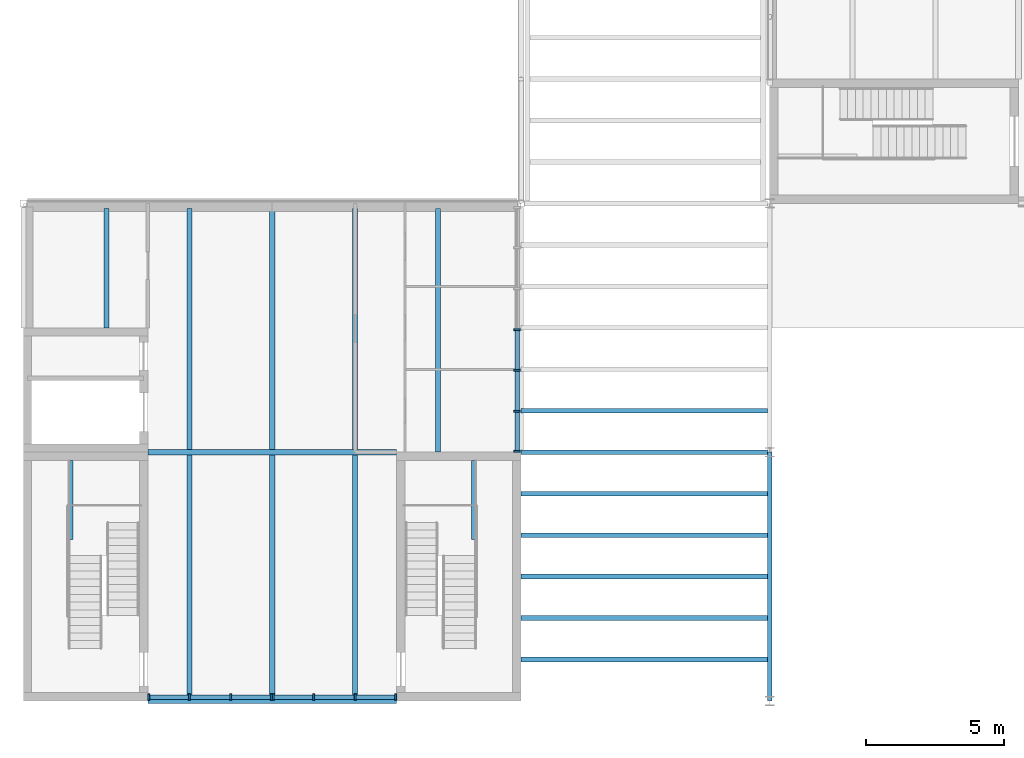
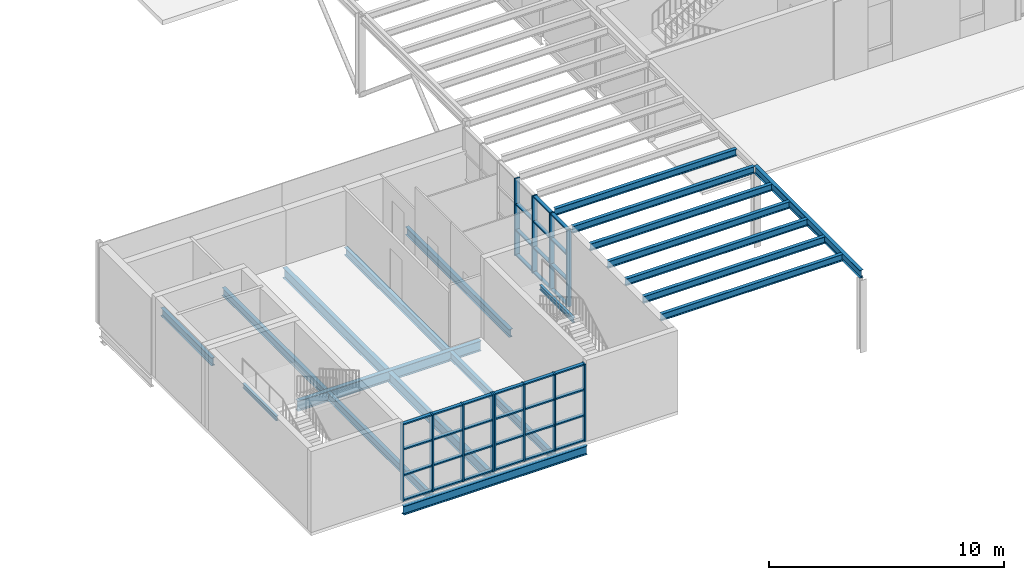
# One storey, part 7 of 57: 54 members, 13 beams, 3 elements without a shape of their own.
"""IFC4 building model written with IfcOpenShell, lengths in metres."""

import ifcopenshell
import ifcopenshell.guid

model = None  # the IFC model being written
_history = None  # IfcOwnerHistory: only IFC2X3 demands one
_inside = {}  # id of a spatial element -> (the spatial element, [elements in it])
_under = {}  # id of a project, library or spatial element -> (it, [spatial elements below it])
_declared = {}  # id of a project -> (the project, [libraries it declares])
_typed = {}  # id of a type object -> (the type object, [elements of that type])
_made_of = {}  # id of a material, layer set ... -> (it, [elements and type objects made of it])


def new_model(schema):
    """Start an empty IFC model of exactly this schema.

    Asked for "IFC4X3", IfcOpenShell would pick the latest addendum, in which some entities
    have other attributes; the version numbers below select the first issue.
    IFC2X3 requires an IfcOwnerHistory on every rooted entity: one is made here for all.
    """
    global model, _history
    if schema == "IFC4X3":
        model = ifcopenshell.file(schema_version=(4, 3, 0, 0))
    else:
        model = ifcopenshell.file(schema=schema)
    _inside.clear()
    _under.clear()
    _declared.clear()
    _typed.clear()
    _made_of.clear()
    _history = None
    if model.schema == "IFC2X3":
        org = make("IfcOrganization", Name="unknown")
        user = make(
            "IfcPersonAndOrganization",
            ThePerson=make("IfcPerson", FamilyName="unknown"),
            TheOrganization=org,
        )
        app = make(
            "IfcApplication",
            ApplicationDeveloper=org,
            Version="unknown",
            ApplicationFullName="unknown",
            ApplicationIdentifier="unknown",
        )
        _history = make(
            "IfcOwnerHistory",
            OwningUser=user,
            OwningApplication=app,
            ChangeAction="ADDED",
            CreationDate=0,
        )
    return model


def make(cls, **values):
    """One entity of the class cls with the attributes given. An attribute that is None is left unset."""
    return model.create_entity(
        cls, **{name: value for name, value in values.items() if value is not None}
    )


def rooted(cls, **values):
    """An entity with a GlobalId (a new one), such as an element, a storey or a relation."""
    return make(cls, GlobalId=ifcopenshell.guid.new(), OwnerHistory=_history, **values)


def si_unit(unit_type, name, prefix=None):
    """IfcSIUnit, for example si_unit("LENGTHUNIT", "METRE", prefix="MILLI")."""
    return make("IfcSIUnit", UnitType=unit_type, Prefix=prefix, Name=name)


def assignment(units):
    """IfcUnitAssignment: the units of a project."""
    return None if units is None else make("IfcUnitAssignment", Units=units)


def point(xyz):
    """IfcCartesianPoint."""
    return None if xyz is None else make("IfcCartesianPoint", Coordinates=xyz)


def direction(xyz):
    """IfcDirection."""
    return None if xyz is None else make("IfcDirection", DirectionRatios=xyz)


def frame(location, z_axis=None, x_axis=None):
    """IfcAxis2Placement3D, a coordinate frame: its origin and axes. An axis left out is left unset."""
    return make(
        "IfcAxis2Placement3D",
        Location=point(location),
        Axis=direction(z_axis),
        RefDirection=direction(x_axis),
    )


def frame_2d(location, x_axis=None):
    """IfcAxis2Placement2D, a coordinate frame in the plane: its origin and x axis."""
    return make(
        "IfcAxis2Placement2D", Location=point(location), RefDirection=direction(x_axis)
    )


def origin():
    """The frame at (0, 0, 0) with its axes left unset."""
    return frame((0.0, 0.0, 0.0))


def origin_2d():
    """The frame at (0, 0) in the plane with its x axis left unset."""
    return frame_2d((0.0, 0.0))


def place(relative_to, where):
    """IfcLocalPlacement: puts the frame where relative to a parent placement (None: the world)."""
    return make(
        "IfcLocalPlacement", PlacementRelTo=relative_to, RelativePlacement=where
    )


def context(
    kind, dimensions, precision=None, world=None, true_north=None, identifier=None
):
    """IfcGeometricRepresentationContext, for example the 3D "Model" context."""
    return make(
        "IfcGeometricRepresentationContext",
        ContextIdentifier=identifier,
        ContextType=kind,
        CoordinateSpaceDimension=dimensions,
        Precision=precision,
        WorldCoordinateSystem=world,
        TrueNorth=true_north,
    )


def subcontext(parent, identifier, kind, view, scale=None):
    """IfcGeometricRepresentationSubContext, for example "Body" below "Model"."""
    return make(
        "IfcGeometricRepresentationSubContext",
        ContextIdentifier=identifier,
        ContextType=kind,
        ParentContext=parent,
        TargetScale=scale,
        TargetView=view,
    )


def project(units=None, contexts=None):
    """IfcProject with its units and contexts."""
    return rooted(
        "IfcProject",
        Name="project",
        RepresentationContexts=contexts,
        UnitsInContext=assignment(units),
    )


def spatial(cls, under=None, at=None, **own):
    """A site, building, storey or space (cls), placed at a placement, below another one or the project."""
    s = rooted(cls, ObjectPlacement=at, **own)
    if under is not None:
        _under.setdefault(under.id(), (under, []))[1].append(s)
    return s


def profile(cls, at=None, kind="AREA", **sizes):
    """A parametric profile (cls). Its sizes go by their IFC names, for example OverallWidth=200.0."""
    return make(cls, ProfileType=kind, Position=at, **sizes)


def rectangle(**sizes):
    """IfcRectangleProfileDef."""
    return profile("IfcRectangleProfileDef", **sizes)


def i_section(**sizes):
    """IfcIShapeProfileDef."""
    return profile("IfcIShapeProfileDef", **sizes)


def extrude(swept, where, along, depth):
    """IfcExtrudedAreaSolid: the profile swept, set in the frame where, extruded along a direction by depth."""
    return make(
        "IfcExtrudedAreaSolid",
        SweptArea=swept,
        Position=where,
        ExtrudedDirection=direction(along),
        Depth=depth,
    )


def shape(context_of_items, identifier, shape_type, items):
    """IfcShapeRepresentation: the items that make up one representation, for example the "Body"."""
    return make(
        "IfcShapeRepresentation",
        ContextOfItems=context_of_items,
        RepresentationIdentifier=identifier,
        RepresentationType=shape_type,
        Items=items,
    )


def material(Name=None, Category=None):
    """IfcMaterial."""
    return make("IfcMaterial", Name=Name, Category=Category)


def layer(
    of_material, thickness, ventilated=None, Name=None, Category=None, Priority=None
):
    """IfcMaterialLayer: one layer of a wall or slab, of a material (None: an air gap)."""
    return make(
        "IfcMaterialLayer",
        Material=of_material,
        LayerThickness=thickness,
        IsVentilated=ventilated,
        Name=Name,
        Category=Category,
        Priority=Priority,
    )


def layer_set(layers, Name=None):
    """IfcMaterialLayerSet."""
    return make("IfcMaterialLayerSet", MaterialLayers=layers, LayerSetName=Name)


def material_profile(
    of_material, cross_section, Name=None, Category=None, Priority=None
):
    """IfcMaterialProfile: a cross section and its material."""
    return make(
        "IfcMaterialProfile",
        Name=Name,
        Material=of_material,
        Profile=cross_section,
        Priority=Priority,
        Category=Category,
    )


def profile_set(profiles, Name=None, composite=None):
    """IfcMaterialProfileSet."""
    return make(
        "IfcMaterialProfileSet",
        Name=Name,
        MaterialProfiles=profiles,
        CompositeProfile=composite,
    )


def made_of(thing, what):
    """Note that an element or type object is made of a material, layer set ...; save() writes the relation."""
    if what is not None:
        _made_of.setdefault(what.id(), (what, []))[1].append(thing)
    return thing


def type_object(cls, material=None, **own):
    """A type object (cls), such as IfcWallType, which elements share."""
    return made_of(rooted(cls, **own), material)


def element(
    cls,
    number,
    at=None,
    inside=None,
    cuts=None,
    type_object=None,
    material=None,
    context=None,
    identifier="Body",
    shape_type=None,
    held_by="IfcProductDefinitionShape",
    body=None,
    shapes=None,
    **own,
):
    """One element of the class cls, such as IfcWall. Its Tag is "e" and its number.

    at: its placement. inside: the storey or other place that contains it. cuts: it is an
    opening in that element (IfcRelVoidsElement). A single representation is given by context,
    identifier, shape_type and body (its items); several are given by shapes. held_by: the class
    of the entity that holds the representations. save() writes the other relations.
    """
    e = rooted(cls, Tag="e%d" % number, ObjectPlacement=at, **own)
    if body is not None:
        shapes = [shape(context, identifier, shape_type, body)]
    if shapes is not None:
        e.Representation = make(held_by, Representations=shapes)
    if inside is not None:
        _inside.setdefault(inside.id(), (inside, []))[1].append(e)
    if cuts is not None:
        rooted(
            "IfcRelVoidsElement", RelatingBuildingElement=cuts, RelatedOpeningElement=e
        )
    if type_object is not None:
        _typed.setdefault(type_object.id(), (type_object, []))[1].append(e)
    return made_of(e, material)


def aggregate(whole, parts):
    """IfcRelAggregates: a whole, such as a stair, and the parts it consists of."""
    return rooted("IfcRelAggregates", RelatingObject=whole, RelatedObjects=parts)


def save(model, path):
    """Write the relations noted so far, then the file.

    IfcRelAggregates (storeys below a building ...), IfcRelContainedInSpatialStructure (elements
    in a storey), IfcRelDefinesByType, IfcRelAssociatesMaterial and IfcRelDeclares: one each for
    every whole, place, type object, material and project.
    """
    for whole, parts in _under.values():
        aggregate(whole, parts)
    for where, things in _inside.values():
        rooted(
            "IfcRelContainedInSpatialStructure",
            RelatedElements=things,
            RelatingStructure=where,
        )
    for kind, things in _typed.values():
        rooted("IfcRelDefinesByType", RelatedObjects=things, RelatingType=kind)
    for what, things in _made_of.values():
        rooted("IfcRelAssociatesMaterial", RelatedObjects=things, RelatingMaterial=what)
    for by, libraries in _declared.values():
        rooted("IfcRelDeclares", RelatingContext=by, RelatedDefinitions=libraries)
    model.write(path)


model = new_model("IFC4")

# Units and contexts
model_context = context("Model", 3, precision=1e-05, world=origin(), true_north=direction((0.0, 1.0)))
body_context = subcontext(model_context, "Body", "Model", "MODEL_VIEW")
ifc_project = project(units=[si_unit("LENGTHUNIT", "METRE"), si_unit("AREAUNIT", "SQUARE_METRE"), si_unit("VOLUMEUNIT", "CUBIC_METRE"), si_unit("PLANEANGLEUNIT", "RADIAN"), si_unit("MASSUNIT", "GRAM", prefix="KILO")], contexts=[model_context])

# Site, building, storey
site_placement = place(None, origin())
site = spatial("IfcSite", under=ifc_project, at=site_placement, CompositionType="ELEMENT")
building_placement = place(site_placement, origin())
building = spatial("IfcBuilding", under=site, at=building_placement, Name="Halyard Row Museum", CompositionType="ELEMENT")
storey_placement = place(building_placement, frame((0.0, 0.0, 5.0)))
storey = spatial("IfcBuildingStorey", under=building, at=storey_placement, Name="L01", CompositionType="ELEMENT", Elevation=5.0)

# Curtain wall, members
ifc_material_1 = material(Name="Acoustic laminated double glazed unit", Category="glass")
ifc_layer = layer(ifc_material_1, 0.239990234375)
ifc_layer_set = layer_set([ifc_layer], Name="Acoustic laminated double glazed unit")
curtain_wall_type = type_object("IfcCurtainWallType", Name="Curtain wall foyer 240 deep", PredefinedType="NOTDEFINED", material=ifc_layer_set)
curtain_wall_1_placement = place(storey_placement, origin())
curtain_wall_1 = element("IfcCurtainWall", 1, at=curtain_wall_1_placement, inside=storey, type_object=curtain_wall_type, Name="Curtain wall CW028", PredefinedType="NOTDEFINED")
ifc_material_2 = material(Name="Powder-coated aluminium section", Category="aluminium")
ifc_material_profile_1 = material_profile(ifc_material_2, rectangle(XDim=0.239990234375, YDim=0.070068359375, at=origin_2d()), Name="240x70 mullion")
ifc_profile_set_1 = profile_set([ifc_material_profile_1], Name="Powder-coated aluminium section")
member_type_1 = type_object("IfcMemberType", Name="Curtain wall mullion CM4 70 x 240", PredefinedType="MULLION", material=ifc_profile_set_1)
member_1_placement = place(storey_placement, frame((4.534912109375, 0.139892578125, 0.0), z_axis=(0.0, 0.0, 1.0), x_axis=(0.0, 1.0, 0.0)))
member_1 = element("IfcMember", 2, at=member_1_placement, type_object=member_type_1, Name="CW028 mullion 1", PredefinedType="MULLION", context=body_context, shape_type="SweptSolid", body=[
    extrude(rectangle(XDim=0.239990234375, YDim=0.070068359375, at=origin_2d()), origin(), (0.0, 0.0, 1.0), 4.0),
])
member_2_placement = place(storey_placement, frame((6.0, 0.139892578125, 0.0), z_axis=(0.0, 0.0, 1.0), x_axis=(0.0, 1.0, 0.0)))
member_2 = element("IfcMember", 3, at=member_2_placement, type_object=member_type_1, Name="CW028 mullion 2", PredefinedType="MULLION", context=body_context, shape_type="SweptSolid", body=[
    extrude(rectangle(XDim=0.239990234375, YDim=0.070068359375, at=origin_2d()), origin(), (0.0, 0.0, 1.0), 4.0),
])
member_3_placement = place(storey_placement, frame((7.5, 0.139892578125, 0.0), z_axis=(0.0, 0.0, 1.0), x_axis=(0.0, 1.0, 0.0)))
member_3 = element("IfcMember", 4, at=member_3_placement, type_object=member_type_1, Name="CW028 mullion 3", PredefinedType="MULLION", context=body_context, shape_type="SweptSolid", body=[
    extrude(rectangle(XDim=0.239990234375, YDim=0.070068359375, at=origin_2d()), origin(), (0.0, 0.0, 1.0), 4.0),
])
member_4_placement = place(storey_placement, frame((8.965087890625, 0.139892578125, 0.0), z_axis=(0.0, 0.0, 1.0), x_axis=(0.0, 1.0, 0.0)))
member_4 = element("IfcMember", 5, at=member_4_placement, type_object=member_type_1, Name="CW028 mullion 4", PredefinedType="MULLION", context=body_context, shape_type="SweptSolid", body=[
    extrude(rectangle(XDim=0.239990234375, YDim=0.070068359375, at=origin_2d()), origin(), (0.0, 0.0, 1.0), 4.0),
])

curtain_wall_2_placement = place(storey_placement, origin())
curtain_wall_2 = element("IfcCurtainWall", 6, at=curtain_wall_2_placement, inside=storey, type_object=curtain_wall_type, Name="Curtain wall CW029", PredefinedType="NOTDEFINED")
member_5_placement = place(storey_placement, frame((9.034912109375, 0.139892578125, 0.0), z_axis=(0.0, 0.0, 1.0), x_axis=(0.0, 1.0, 0.0)))
member_5 = element("IfcMember", 7, at=member_5_placement, type_object=member_type_1, Name="CW029 mullion 1", PredefinedType="MULLION", context=body_context, shape_type="SweptSolid", body=[
    extrude(rectangle(XDim=0.239990234375, YDim=0.070068359375, at=origin_2d()), origin(), (0.0, 0.0, 1.0), 4.0),
])
member_6_placement = place(storey_placement, frame((10.5, 0.139892578125, 0.0), z_axis=(0.0, 0.0, 1.0), x_axis=(0.0, 1.0, 0.0)))
member_6 = element("IfcMember", 8, at=member_6_placement, type_object=member_type_1, Name="CW029 mullion 2", PredefinedType="MULLION", context=body_context, shape_type="SweptSolid", body=[
    extrude(rectangle(XDim=0.239990234375, YDim=0.070068359375, at=origin_2d()), origin(), (0.0, 0.0, 1.0), 4.0),
])
member_7_placement = place(storey_placement, frame((12.0, 0.139892578125, 0.0), z_axis=(0.0, 0.0, 1.0), x_axis=(0.0, 1.0, 0.0)))
member_7 = element("IfcMember", 9, at=member_7_placement, type_object=member_type_1, Name="CW029 mullion 3", PredefinedType="MULLION", context=body_context, shape_type="SweptSolid", body=[
    extrude(rectangle(XDim=0.239990234375, YDim=0.070068359375, at=origin_2d()), origin(), (0.0, 0.0, 1.0), 4.0),
])
member_8_placement = place(storey_placement, frame((13.465087890625, 0.139892578125, 0.0), z_axis=(0.0, 0.0, 1.0), x_axis=(0.0, 1.0, 0.0)))
member_8 = element("IfcMember", 10, at=member_8_placement, type_object=member_type_1, Name="CW029 mullion 4", PredefinedType="MULLION", context=body_context, shape_type="SweptSolid", body=[
    extrude(rectangle(XDim=0.239990234375, YDim=0.070068359375, at=origin_2d()), origin(), (0.0, 0.0, 1.0), 4.0),
])

curtain_wall_3_placement = place(storey_placement, origin())
curtain_wall_3 = element("IfcCurtainWall", 11, at=curtain_wall_3_placement, inside=storey, type_object=curtain_wall_type, Name="Curtain wall CW030", PredefinedType="NOTDEFINED")
member_9_placement = place(storey_placement, frame((17.860107421875, 9.034912109375, 0.0), z_axis=(0.0, 0.0, 1.0), x_axis=(-1.0, 0.0, 0.0)))
member_9 = element("IfcMember", 12, at=member_9_placement, type_object=member_type_1, Name="CW030 mullion 1", PredefinedType="MULLION", context=body_context, shape_type="SweptSolid", body=[
    extrude(rectangle(XDim=0.239990234375, YDim=0.070068359375, at=origin_2d()), origin(), (0.0, 0.0, 1.0), 4.0),
])
member_10_placement = place(storey_placement, frame((17.860107421875, 10.479248046875, 0.0), z_axis=(0.0, 0.0, 1.0), x_axis=(-1.0, 0.0, 0.0)))
member_10 = element("IfcMember", 13, at=member_10_placement, type_object=member_type_1, Name="CW030 mullion 2", PredefinedType="MULLION", context=body_context, shape_type="SweptSolid", body=[
    extrude(rectangle(XDim=0.239990234375, YDim=0.070068359375, at=origin_2d()), origin(), (0.0, 0.0, 1.0), 4.0),
])
member_11_placement = place(storey_placement, frame((17.860107421875, 11.958251953125, 0.0), z_axis=(0.0, 0.0, 1.0), x_axis=(-1.0, 0.0, 0.0)))
member_11 = element("IfcMember", 14, at=member_11_placement, type_object=member_type_1, Name="CW030 mullion 3", PredefinedType="MULLION", context=body_context, shape_type="SweptSolid", body=[
    extrude(rectangle(XDim=0.239990234375, YDim=0.070068359375, at=origin_2d()), origin(), (0.0, 0.0, 1.0), 4.0),
])
member_12_placement = place(storey_placement, frame((17.860107421875, 13.4375, 0.0), z_axis=(0.0, 0.0, 1.0), x_axis=(-1.0, 0.0, 0.0)))
member_12 = element("IfcMember", 15, at=member_12_placement, type_object=member_type_1, Name="CW030 mullion 4", PredefinedType="MULLION", context=body_context, shape_type="SweptSolid", body=[
    extrude(rectangle(XDim=0.239990234375, YDim=0.070068359375, at=origin_2d()), origin(), (0.0, 0.0, 1.0), 4.0),
])

# Member
ifc_material_3 = material(Name="Powder-coated aluminium section", Category="aluminium")
ifc_material_profile_2 = material_profile(ifc_material_3, rectangle(XDim=0.169921875, YDim=0.070068359375, at=origin_2d()), Name="170x70 transom")
ifc_profile_set_2 = profile_set([ifc_material_profile_2], Name="Powder-coated aluminium section")
member_type_2 = type_object("IfcMemberType", Name="Curtain wall transom CT4 70 x 170", PredefinedType="USERDEFINED", material=ifc_profile_set_2)
member_13_placement = place(storey_placement, frame((4.570068359375, 0.139892578125, 0.034912109375), z_axis=(1.0, 0.0, 0.0), x_axis=(0.0, 1.0, 0.0)))
member_13 = element("IfcMember", 16, at=member_13_placement, type_object=member_type_2, Name="CW028 transom 1.1", ObjectType="TRANSOM", PredefinedType="USERDEFINED", context=body_context, shape_type="SweptSolid", body=[
    extrude(rectangle(XDim=0.169921875, YDim=0.070068359375, at=origin_2d()), origin(), (0.0, 0.0, 1.0), 1.39501953125),
])

member_14_placement = place(storey_placement, frame((4.570068359375, 0.139892578125, 1.333251953125), z_axis=(1.0, 0.0, 0.0), x_axis=(0.0, 1.0, 0.0)))
member_14 = element("IfcMember", 17, at=member_14_placement, type_object=member_type_2, Name="CW028 transom 1.2", ObjectType="TRANSOM", PredefinedType="USERDEFINED", context=body_context, shape_type="SweptSolid", body=[
    extrude(rectangle(XDim=0.169921875, YDim=0.070068359375, at=origin_2d()), origin(), (0.0, 0.0, 1.0), 1.39501953125),
])

member_15_placement = place(storey_placement, frame((4.570068359375, 0.139892578125, 2.666748046875), z_axis=(1.0, 0.0, 0.0), x_axis=(0.0, 1.0, 0.0)))
member_15 = element("IfcMember", 18, at=member_15_placement, type_object=member_type_2, Name="CW028 transom 1.3", ObjectType="TRANSOM", PredefinedType="USERDEFINED", context=body_context, shape_type="SweptSolid", body=[
    extrude(rectangle(XDim=0.169921875, YDim=0.070068359375, at=origin_2d()), origin(), (0.0, 0.0, 1.0), 1.39501953125),
])

member_16_placement = place(storey_placement, frame((4.570068359375, 0.139892578125, 3.965087890625), z_axis=(1.0, 0.0, 0.0), x_axis=(0.0, 1.0, 0.0)))
member_16 = element("IfcMember", 19, at=member_16_placement, type_object=member_type_2, Name="CW028 transom 1.4", ObjectType="TRANSOM", PredefinedType="USERDEFINED", context=body_context, shape_type="SweptSolid", body=[
    extrude(rectangle(XDim=0.169921875, YDim=0.070068359375, at=origin_2d()), origin(), (0.0, 0.0, 1.0), 1.39501953125),
])

member_17_placement = place(storey_placement, frame((6.034912109375, 0.139892578125, 0.034912109375), z_axis=(1.0, 0.0, 0.0), x_axis=(0.0, 1.0, 0.0)))
member_17 = element("IfcMember", 20, at=member_17_placement, type_object=member_type_2, Name="CW028 transom 2.1", ObjectType="TRANSOM", PredefinedType="USERDEFINED", context=body_context, shape_type="SweptSolid", body=[
    extrude(rectangle(XDim=0.169921875, YDim=0.070068359375, at=origin_2d()), origin(), (0.0, 0.0, 1.0), 1.43017578125),
])

member_18_placement = place(storey_placement, frame((6.034912109375, 0.139892578125, 1.333251953125), z_axis=(1.0, 0.0, 0.0), x_axis=(0.0, 1.0, 0.0)))
member_18 = element("IfcMember", 21, at=member_18_placement, type_object=member_type_2, Name="CW028 transom 2.2", ObjectType="TRANSOM", PredefinedType="USERDEFINED", context=body_context, shape_type="SweptSolid", body=[
    extrude(rectangle(XDim=0.169921875, YDim=0.070068359375, at=origin_2d()), origin(), (0.0, 0.0, 1.0), 1.43017578125),
])

member_19_placement = place(storey_placement, frame((6.034912109375, 0.139892578125, 2.666748046875), z_axis=(1.0, 0.0, 0.0), x_axis=(0.0, 1.0, 0.0)))
member_19 = element("IfcMember", 22, at=member_19_placement, type_object=member_type_2, Name="CW028 transom 2.3", ObjectType="TRANSOM", PredefinedType="USERDEFINED", context=body_context, shape_type="SweptSolid", body=[
    extrude(rectangle(XDim=0.169921875, YDim=0.070068359375, at=origin_2d()), origin(), (0.0, 0.0, 1.0), 1.43017578125),
])

member_20_placement = place(storey_placement, frame((6.034912109375, 0.139892578125, 3.965087890625), z_axis=(1.0, 0.0, 0.0), x_axis=(0.0, 1.0, 0.0)))
member_20 = element("IfcMember", 23, at=member_20_placement, type_object=member_type_2, Name="CW028 transom 2.4", ObjectType="TRANSOM", PredefinedType="USERDEFINED", context=body_context, shape_type="SweptSolid", body=[
    extrude(rectangle(XDim=0.169921875, YDim=0.070068359375, at=origin_2d()), origin(), (0.0, 0.0, 1.0), 1.43017578125),
])

member_21_placement = place(storey_placement, frame((7.534912109375, 0.139892578125, 0.034912109375), z_axis=(1.0, 0.0, 0.0), x_axis=(0.0, 1.0, 0.0)))
member_21 = element("IfcMember", 24, at=member_21_placement, type_object=member_type_2, Name="CW028 transom 3.1", ObjectType="TRANSOM", PredefinedType="USERDEFINED", context=body_context, shape_type="SweptSolid", body=[
    extrude(rectangle(XDim=0.169921875, YDim=0.070068359375, at=origin_2d()), origin(), (0.0, 0.0, 1.0), 1.39501953125),
])

member_22_placement = place(storey_placement, frame((7.534912109375, 0.139892578125, 1.333251953125), z_axis=(1.0, 0.0, 0.0), x_axis=(0.0, 1.0, 0.0)))
member_22 = element("IfcMember", 25, at=member_22_placement, type_object=member_type_2, Name="CW028 transom 3.2", ObjectType="TRANSOM", PredefinedType="USERDEFINED", context=body_context, shape_type="SweptSolid", body=[
    extrude(rectangle(XDim=0.169921875, YDim=0.070068359375, at=origin_2d()), origin(), (0.0, 0.0, 1.0), 1.39501953125),
])

member_23_placement = place(storey_placement, frame((7.534912109375, 0.139892578125, 2.666748046875), z_axis=(1.0, 0.0, 0.0), x_axis=(0.0, 1.0, 0.0)))
member_23 = element("IfcMember", 26, at=member_23_placement, type_object=member_type_2, Name="CW028 transom 3.3", ObjectType="TRANSOM", PredefinedType="USERDEFINED", context=body_context, shape_type="SweptSolid", body=[
    extrude(rectangle(XDim=0.169921875, YDim=0.070068359375, at=origin_2d()), origin(), (0.0, 0.0, 1.0), 1.39501953125),
])

member_24_placement = place(storey_placement, frame((7.534912109375, 0.139892578125, 3.965087890625), z_axis=(1.0, 0.0, 0.0), x_axis=(0.0, 1.0, 0.0)))
member_24 = element("IfcMember", 27, at=member_24_placement, type_object=member_type_2, Name="CW028 transom 3.4", ObjectType="TRANSOM", PredefinedType="USERDEFINED", context=body_context, shape_type="SweptSolid", body=[
    extrude(rectangle(XDim=0.169921875, YDim=0.070068359375, at=origin_2d()), origin(), (0.0, 0.0, 1.0), 1.39501953125),
])

aggregate(curtain_wall_1, [member_1, member_2, member_3, member_4, member_13, member_14, member_15, member_16, member_17, member_18, member_19, member_20, member_21, member_22, member_23, member_24])

member_25_placement = place(storey_placement, frame((9.070068359375, 0.139892578125, 0.034912109375), z_axis=(1.0, 0.0, 0.0), x_axis=(0.0, 1.0, 0.0)))
member_25 = element("IfcMember", 28, at=member_25_placement, type_object=member_type_2, Name="CW029 transom 1.1", ObjectType="TRANSOM", PredefinedType="USERDEFINED", context=body_context, shape_type="SweptSolid", body=[
    extrude(rectangle(XDim=0.169921875, YDim=0.070068359375, at=origin_2d()), origin(), (0.0, 0.0, 1.0), 1.39501953125),
])

member_26_placement = place(storey_placement, frame((9.070068359375, 0.139892578125, 1.333251953125), z_axis=(1.0, 0.0, 0.0), x_axis=(0.0, 1.0, 0.0)))
member_26 = element("IfcMember", 29, at=member_26_placement, type_object=member_type_2, Name="CW029 transom 1.2", ObjectType="TRANSOM", PredefinedType="USERDEFINED", context=body_context, shape_type="SweptSolid", body=[
    extrude(rectangle(XDim=0.169921875, YDim=0.070068359375, at=origin_2d()), origin(), (0.0, 0.0, 1.0), 1.39501953125),
])

member_27_placement = place(storey_placement, frame((9.070068359375, 0.139892578125, 2.666748046875), z_axis=(1.0, 0.0, 0.0), x_axis=(0.0, 1.0, 0.0)))
member_27 = element("IfcMember", 30, at=member_27_placement, type_object=member_type_2, Name="CW029 transom 1.3", ObjectType="TRANSOM", PredefinedType="USERDEFINED", context=body_context, shape_type="SweptSolid", body=[
    extrude(rectangle(XDim=0.169921875, YDim=0.070068359375, at=origin_2d()), origin(), (0.0, 0.0, 1.0), 1.39501953125),
])

member_28_placement = place(storey_placement, frame((9.070068359375, 0.139892578125, 3.965087890625), z_axis=(1.0, 0.0, 0.0), x_axis=(0.0, 1.0, 0.0)))
member_28 = element("IfcMember", 31, at=member_28_placement, type_object=member_type_2, Name="CW029 transom 1.4", ObjectType="TRANSOM", PredefinedType="USERDEFINED", context=body_context, shape_type="SweptSolid", body=[
    extrude(rectangle(XDim=0.169921875, YDim=0.070068359375, at=origin_2d()), origin(), (0.0, 0.0, 1.0), 1.39501953125),
])

member_29_placement = place(storey_placement, frame((10.534912109375, 0.139892578125, 0.034912109375), z_axis=(1.0, 0.0, 0.0), x_axis=(0.0, 1.0, 0.0)))
member_29 = element("IfcMember", 32, at=member_29_placement, type_object=member_type_2, Name="CW029 transom 2.1", ObjectType="TRANSOM", PredefinedType="USERDEFINED", context=body_context, shape_type="SweptSolid", body=[
    extrude(rectangle(XDim=0.169921875, YDim=0.070068359375, at=origin_2d()), origin(), (0.0, 0.0, 1.0), 1.43017578125),
])

member_30_placement = place(storey_placement, frame((10.534912109375, 0.139892578125, 1.333251953125), z_axis=(1.0, 0.0, 0.0), x_axis=(0.0, 1.0, 0.0)))
member_30 = element("IfcMember", 33, at=member_30_placement, type_object=member_type_2, Name="CW029 transom 2.2", ObjectType="TRANSOM", PredefinedType="USERDEFINED", context=body_context, shape_type="SweptSolid", body=[
    extrude(rectangle(XDim=0.169921875, YDim=0.070068359375, at=origin_2d()), origin(), (0.0, 0.0, 1.0), 1.43017578125),
])

member_31_placement = place(storey_placement, frame((10.534912109375, 0.139892578125, 2.666748046875), z_axis=(1.0, 0.0, 0.0), x_axis=(0.0, 1.0, 0.0)))
member_31 = element("IfcMember", 34, at=member_31_placement, type_object=member_type_2, Name="CW029 transom 2.3", ObjectType="TRANSOM", PredefinedType="USERDEFINED", context=body_context, shape_type="SweptSolid", body=[
    extrude(rectangle(XDim=0.169921875, YDim=0.070068359375, at=origin_2d()), origin(), (0.0, 0.0, 1.0), 1.43017578125),
])

member_32_placement = place(storey_placement, frame((10.534912109375, 0.139892578125, 3.965087890625), z_axis=(1.0, 0.0, 0.0), x_axis=(0.0, 1.0, 0.0)))
member_32 = element("IfcMember", 35, at=member_32_placement, type_object=member_type_2, Name="CW029 transom 2.4", ObjectType="TRANSOM", PredefinedType="USERDEFINED", context=body_context, shape_type="SweptSolid", body=[
    extrude(rectangle(XDim=0.169921875, YDim=0.070068359375, at=origin_2d()), origin(), (0.0, 0.0, 1.0), 1.43017578125),
])

member_33_placement = place(storey_placement, frame((12.034912109375, 0.139892578125, 0.034912109375), z_axis=(1.0, 0.0, 0.0), x_axis=(0.0, 1.0, 0.0)))
member_33 = element("IfcMember", 36, at=member_33_placement, type_object=member_type_2, Name="CW029 transom 3.1", ObjectType="TRANSOM", PredefinedType="USERDEFINED", context=body_context, shape_type="SweptSolid", body=[
    extrude(rectangle(XDim=0.169921875, YDim=0.070068359375, at=origin_2d()), origin(), (0.0, 0.0, 1.0), 1.39501953125),
])

member_34_placement = place(storey_placement, frame((12.034912109375, 0.139892578125, 1.333251953125), z_axis=(1.0, 0.0, 0.0), x_axis=(0.0, 1.0, 0.0)))
member_34 = element("IfcMember", 37, at=member_34_placement, type_object=member_type_2, Name="CW029 transom 3.2", ObjectType="TRANSOM", PredefinedType="USERDEFINED", context=body_context, shape_type="SweptSolid", body=[
    extrude(rectangle(XDim=0.169921875, YDim=0.070068359375, at=origin_2d()), origin(), (0.0, 0.0, 1.0), 1.39501953125),
])

member_35_placement = place(storey_placement, frame((12.034912109375, 0.139892578125, 2.666748046875), z_axis=(1.0, 0.0, 0.0), x_axis=(0.0, 1.0, 0.0)))
member_35 = element("IfcMember", 38, at=member_35_placement, type_object=member_type_2, Name="CW029 transom 3.3", ObjectType="TRANSOM", PredefinedType="USERDEFINED", context=body_context, shape_type="SweptSolid", body=[
    extrude(rectangle(XDim=0.169921875, YDim=0.070068359375, at=origin_2d()), origin(), (0.0, 0.0, 1.0), 1.39501953125),
])

member_36_placement = place(storey_placement, frame((12.034912109375, 0.139892578125, 3.965087890625), z_axis=(1.0, 0.0, 0.0), x_axis=(0.0, 1.0, 0.0)))
member_36 = element("IfcMember", 39, at=member_36_placement, type_object=member_type_2, Name="CW029 transom 3.4", ObjectType="TRANSOM", PredefinedType="USERDEFINED", context=body_context, shape_type="SweptSolid", body=[
    extrude(rectangle(XDim=0.169921875, YDim=0.070068359375, at=origin_2d()), origin(), (0.0, 0.0, 1.0), 1.39501953125),
])

aggregate(curtain_wall_2, [member_5, member_6, member_7, member_8, member_25, member_26, member_27, member_28, member_29, member_30, member_31, member_32, member_33, member_34, member_35, member_36])

member_37_placement = place(storey_placement, frame((17.860107421875, 9.070068359375, 0.034912109375), z_axis=(0.0, 1.0, 0.0), x_axis=(-1.0, 0.0, 0.0)))
member_37 = element("IfcMember", 40, at=member_37_placement, type_object=member_type_2, Name="CW030 transom 1.1", ObjectType="TRANSOM", PredefinedType="USERDEFINED", context=body_context, shape_type="SweptSolid", body=[
    extrude(rectangle(XDim=0.169921875, YDim=0.070068359375, at=origin_2d()), origin(), (0.0, 0.0, 1.0), 1.3740234375),
])

member_38_placement = place(storey_placement, frame((17.860107421875, 9.070068359375, 1.333251953125), z_axis=(0.0, 1.0, 0.0), x_axis=(-1.0, 0.0, 0.0)))
member_38 = element("IfcMember", 41, at=member_38_placement, type_object=member_type_2, Name="CW030 transom 1.2", ObjectType="TRANSOM", PredefinedType="USERDEFINED", context=body_context, shape_type="SweptSolid", body=[
    extrude(rectangle(XDim=0.169921875, YDim=0.070068359375, at=origin_2d()), origin(), (0.0, 0.0, 1.0), 1.3740234375),
])

member_39_placement = place(storey_placement, frame((17.860107421875, 9.070068359375, 2.666748046875), z_axis=(0.0, 1.0, 0.0), x_axis=(-1.0, 0.0, 0.0)))
member_39 = element("IfcMember", 42, at=member_39_placement, type_object=member_type_2, Name="CW030 transom 1.3", ObjectType="TRANSOM", PredefinedType="USERDEFINED", context=body_context, shape_type="SweptSolid", body=[
    extrude(rectangle(XDim=0.169921875, YDim=0.070068359375, at=origin_2d()), origin(), (0.0, 0.0, 1.0), 1.3740234375),
])

member_40_placement = place(storey_placement, frame((17.860107421875, 9.070068359375, 3.965087890625), z_axis=(0.0, 1.0, 0.0), x_axis=(-1.0, 0.0, 0.0)))
member_40 = element("IfcMember", 43, at=member_40_placement, type_object=member_type_2, Name="CW030 transom 1.4", ObjectType="TRANSOM", PredefinedType="USERDEFINED", context=body_context, shape_type="SweptSolid", body=[
    extrude(rectangle(XDim=0.169921875, YDim=0.070068359375, at=origin_2d()), origin(), (0.0, 0.0, 1.0), 1.3740234375),
])

member_41_placement = place(storey_placement, frame((17.860107421875, 10.51416015625, 0.034912109375), z_axis=(0.0, 1.0, 0.0), x_axis=(-1.0, 0.0, 0.0)))
member_41 = element("IfcMember", 44, at=member_41_placement, type_object=member_type_2, Name="CW030 transom 2.1", ObjectType="TRANSOM", PredefinedType="USERDEFINED", context=body_context, shape_type="SweptSolid", body=[
    extrude(rectangle(XDim=0.169921875, YDim=0.070068359375, at=origin_2d()), origin(), (0.0, 0.0, 1.0), 1.4091796875),
])

member_42_placement = place(storey_placement, frame((17.860107421875, 10.51416015625, 1.333251953125), z_axis=(0.0, 1.0, 0.0), x_axis=(-1.0, 0.0, 0.0)))
member_42 = element("IfcMember", 45, at=member_42_placement, type_object=member_type_2, Name="CW030 transom 2.2", ObjectType="TRANSOM", PredefinedType="USERDEFINED", context=body_context, shape_type="SweptSolid", body=[
    extrude(rectangle(XDim=0.169921875, YDim=0.070068359375, at=origin_2d()), origin(), (0.0, 0.0, 1.0), 1.4091796875),
])

member_43_placement = place(storey_placement, frame((17.860107421875, 10.51416015625, 2.666748046875), z_axis=(0.0, 1.0, 0.0), x_axis=(-1.0, 0.0, 0.0)))
member_43 = element("IfcMember", 46, at=member_43_placement, type_object=member_type_2, Name="CW030 transom 2.3", ObjectType="TRANSOM", PredefinedType="USERDEFINED", context=body_context, shape_type="SweptSolid", body=[
    extrude(rectangle(XDim=0.169921875, YDim=0.070068359375, at=origin_2d()), origin(), (0.0, 0.0, 1.0), 1.4091796875),
])

member_44_placement = place(storey_placement, frame((17.860107421875, 10.51416015625, 3.965087890625), z_axis=(0.0, 1.0, 0.0), x_axis=(-1.0, 0.0, 0.0)))
member_44 = element("IfcMember", 47, at=member_44_placement, type_object=member_type_2, Name="CW030 transom 2.4", ObjectType="TRANSOM", PredefinedType="USERDEFINED", context=body_context, shape_type="SweptSolid", body=[
    extrude(rectangle(XDim=0.169921875, YDim=0.070068359375, at=origin_2d()), origin(), (0.0, 0.0, 1.0), 1.4091796875),
])

member_45_placement = place(storey_placement, frame((17.860107421875, 11.993408203125, 0.034912109375), z_axis=(0.0, 1.0, 0.0), x_axis=(-1.0, 0.0, 0.0)))
member_45 = element("IfcMember", 48, at=member_45_placement, type_object=member_type_2, Name="CW030 transom 3.1", ObjectType="TRANSOM", PredefinedType="USERDEFINED", context=body_context, shape_type="SweptSolid", body=[
    extrude(rectangle(XDim=0.169921875, YDim=0.070068359375, at=origin_2d()), origin(), (0.0, 0.0, 1.0), 1.4091796875),
])

member_46_placement = place(storey_placement, frame((17.860107421875, 11.993408203125, 1.333251953125), z_axis=(0.0, 1.0, 0.0), x_axis=(-1.0, 0.0, 0.0)))
member_46 = element("IfcMember", 49, at=member_46_placement, type_object=member_type_2, Name="CW030 transom 3.2", ObjectType="TRANSOM", PredefinedType="USERDEFINED", context=body_context, shape_type="SweptSolid", body=[
    extrude(rectangle(XDim=0.169921875, YDim=0.070068359375, at=origin_2d()), origin(), (0.0, 0.0, 1.0), 1.4091796875),
])

member_47_placement = place(storey_placement, frame((17.860107421875, 11.993408203125, 2.666748046875), z_axis=(0.0, 1.0, 0.0), x_axis=(-1.0, 0.0, 0.0)))
member_47 = element("IfcMember", 50, at=member_47_placement, type_object=member_type_2, Name="CW030 transom 3.3", ObjectType="TRANSOM", PredefinedType="USERDEFINED", context=body_context, shape_type="SweptSolid", body=[
    extrude(rectangle(XDim=0.169921875, YDim=0.070068359375, at=origin_2d()), origin(), (0.0, 0.0, 1.0), 1.4091796875),
])

aggregate(curtain_wall_3, [member_9, member_10, member_11, member_12, member_37, member_38, member_39, member_40, member_41, member_42, member_43, member_44, member_45, member_46, member_47])

# Beams
ifc_material_4 = material(Name="Steel Grade 300", Category="steel")
ifc_material_profile_3 = material_profile(ifc_material_4, i_section(OverallWidth=0.18994140625, OverallDepth=0.45751953125, WebThickness=0.009033203125, FlangeThickness=0.014404296875, FilletRadius=0.011474609375, at=origin_2d()), Name="460UB74.6")
ifc_profile_set_3 = profile_set([ifc_material_profile_3], Name="Steel Grade 300")
beam_type_1 = type_object("IfcBeamType", Name="Edge beam 460UB74.6", PredefinedType="BEAM", material=ifc_profile_set_3)
beam_1_placement = place(storey_placement, frame((4.5, 0.0, -0.393798828125), z_axis=(1.0, 0.0, 0.0), x_axis=(0.0, 1.0, 0.0)))
element("IfcBeam", 51, at=beam_1_placement, inside=storey, type_object=beam_type_1, Name="Beam L01-001", PredefinedType="BEAM", context=body_context, shape_type="SweptSolid", body=[
    extrude(i_section(OverallWidth=0.18994140625, OverallDepth=0.45751953125, WebThickness=0.009033203125, FlangeThickness=0.014404296875, FilletRadius=0.011474609375, at=origin_2d()), origin(), (0.0, 0.0, 1.0), 9.0),
])
ifc_material_5 = material(Name="Steel Grade 300", Category="steel")
ifc_material_profile_4 = material_profile(ifc_material_5, i_section(OverallWidth=0.208984375, OverallDepth=0.532958984375, WebThickness=0.01025390625, FlangeThickness=0.015625, FilletRadius=0.013916015625, at=origin_2d()), Name="530UB92.4")
ifc_profile_set_4 = profile_set([ifc_material_profile_4], Name="Steel Grade 300")
beam_type_2 = type_object("IfcBeamType", Name="Girder beam 530UB92.4", PredefinedType="BEAM", material=ifc_profile_set_4)
beam_2_placement = place(storey_placement, frame((4.5, 9.0, -0.431396484375), z_axis=(1.0, 0.0, 0.0), x_axis=(0.0, 1.0, 0.0)))
element("IfcBeam", 52, at=beam_2_placement, inside=storey, type_object=beam_type_2, Name="Beam L01-006", PredefinedType="BEAM", context=body_context, shape_type="SweptSolid", body=[
    extrude(i_section(OverallWidth=0.208984375, OverallDepth=0.532958984375, WebThickness=0.01025390625, FlangeThickness=0.015625, FilletRadius=0.013916015625, at=origin_2d()), origin(), (0.0, 0.0, 1.0), 9.0),
])
beam_3_placement = place(storey_placement, frame((9.0, 0.094970703125, -0.431396484375), z_axis=(0.0, 1.0, 0.0), x_axis=(-1.0, 0.0, 0.0)))
element("IfcBeam", 53, at=beam_3_placement, inside=storey, type_object=beam_type_2, Name="Beam L01-046", PredefinedType="BEAM", context=body_context, shape_type="SweptSolid", body=[
    extrude(i_section(OverallWidth=0.208984375, OverallDepth=0.532958984375, WebThickness=0.01025390625, FlangeThickness=0.015625, FilletRadius=0.013916015625, at=origin_2d()), origin(), (0.0, 0.0, 1.0), 8.800537109375),
])
beam_4_placement = place(storey_placement, frame((9.0, 9.1044921875, -0.431396484375), z_axis=(0.0, 1.0, 0.0), x_axis=(-1.0, 0.0, 0.0)))
element("IfcBeam", 54, at=beam_4_placement, inside=storey, type_object=beam_type_2, Name="Beam L01-047", PredefinedType="BEAM", context=body_context, shape_type="SweptSolid", body=[
    extrude(i_section(OverallWidth=0.208984375, OverallDepth=0.532958984375, WebThickness=0.01025390625, FlangeThickness=0.015625, FilletRadius=0.013916015625, at=origin_2d()), origin(), (0.0, 0.0, 1.0), 8.720458984375),
])
ifc_material_6 = material(Name="Steel Grade 300", Category="steel")
ifc_material_profile_5 = material_profile(ifc_material_6, i_section(OverallWidth=0.1240234375, OverallDepth=0.248046875, WebThickness=0.0048828125, FlangeThickness=0.008056640625, FilletRadius=0.011962890625, at=origin_2d()), Name="250UB25.7")
ifc_profile_set_5 = profile_set([ifc_material_profile_5], Name="Steel Grade 300")
beam_type_3 = type_object("IfcBeamType", Name="Landing trimmer 250UB25.7", PredefinedType="BEAM", material=ifc_profile_set_5)
for number, where, z_axis, x_axis, name in (
    (55, (16.278076171875, 8.702880859375, 1.77587890625), (0.0, -1.0, 0.0), (1.0, 0.0, 0.0), "Landing ledger K3E L01 1"),
    (56, (1.721923828125, 8.702880859375, 1.77587890625), (0.0, -1.0, 0.0), (1.0, 0.0, 0.0), "Landing ledger K3S L01 1"),
):
    element("IfcBeam", number, at=place(storey_placement, frame(where, z_axis=z_axis, x_axis=x_axis)), inside=storey, type_object=beam_type_3, Name=name, PredefinedType="BEAM", context=body_context, shape_type="SweptSolid", body=[
        extrude(i_section(OverallWidth=0.1240234375, OverallDepth=0.248046875, WebThickness=0.0048828125, FlangeThickness=0.008056640625, FilletRadius=0.011962890625, at=origin_2d()), origin(), (0.0, 0.0, 1.0), 2.852783203125),
    ])
ifc_material_7 = material(Name="Steel Grade 300", Category="steel")
ifc_material_profile_6 = material_profile(ifc_material_7, i_section(OverallWidth=0.177978515625, OverallDepth=0.402587890625, WebThickness=0.007568359375, FlangeThickness=0.010986328125, FilletRadius=0.011474609375, at=origin_2d()), Name="410UB53.7")
ifc_profile_set_6 = profile_set([ifc_material_profile_6], Name="Steel Grade 300")
beam_type_4 = type_object("IfcBeamType", Name="Passage edge beam 410UB53.7", PredefinedType="BEAM", material=ifc_profile_set_6)
beam_5_placement = place(storey_placement, frame((27.0, 0.0, 3.958740234375), z_axis=(0.0, 1.0, 0.0), x_axis=(-1.0, 0.0, 0.0)))
element("IfcBeam", 57, at=beam_5_placement, inside=storey, type_object=beam_type_4, Name="Passage edge beam E 0-9", PredefinedType="BEAM", context=body_context, shape_type="SweptSolid", body=[
    extrude(i_section(OverallWidth=0.177978515625, OverallDepth=0.402587890625, WebThickness=0.007568359375, FlangeThickness=0.010986328125, FilletRadius=0.011474609375, at=origin_2d()), origin(), (0.0, 0.0, 1.0), 9.0),
])

# Members
ifc_material_8 = material(Name="Steel Grade 300", Category="steel")
ifc_material_profile_7 = material_profile(ifc_material_8, i_section(OverallWidth=0.1708984375, OverallDepth=0.35205078125, WebThickness=0.0068359375, FlangeThickness=0.009765625, FilletRadius=0.011474609375, at=origin_2d()), Name="360UB44.7")
ifc_profile_set_7 = profile_set([ifc_material_profile_7], Name="Steel Grade 300")
member_type_3 = type_object("IfcMemberType", Name="Passage rafter 360UB44.7", PredefinedType="RAFTER", material=ifc_profile_set_7)
for number, where, z_axis, x_axis, name in (
    (58, (18.0, 1.5, 3.98388671875), (1.0, 0.0, 0.0), (0.0, 1.0, 0.0), "Passage rafter 2"),
    (59, (18.0, 3.0, 3.98388671875), (1.0, 0.0, 0.0), (0.0, 1.0, 0.0), "Passage rafter 3"),
    (60, (18.0, 4.5, 3.98388671875), (1.0, 0.0, 0.0), (0.0, 1.0, 0.0), "Passage rafter 4"),
    (61, (18.0, 6.0, 3.98388671875), (1.0, 0.0, 0.0), (0.0, 1.0, 0.0), "Passage rafter 5"),
    (62, (18.0, 7.5, 3.98388671875), (1.0, 0.0, 0.0), (0.0, 1.0, 0.0), "Passage rafter 6"),
    (63, (18.0, 9.0, 3.98388671875), (1.0, 0.0, 0.0), (0.0, 1.0, 0.0), "Passage rafter 7"),
    (64, (18.0, 10.5, 3.98388671875), (1.0, 0.0, 0.0), (0.0, 1.0, 0.0), "Passage rafter 8"),
):
    element("IfcMember", number, at=place(storey_placement, frame(where, z_axis=z_axis, x_axis=x_axis)), inside=storey, type_object=member_type_3, Name=name, PredefinedType="RAFTER", context=body_context, shape_type="SweptSolid", body=[
        extrude(i_section(OverallWidth=0.1708984375, OverallDepth=0.35205078125, WebThickness=0.0068359375, FlangeThickness=0.009765625, FilletRadius=0.011474609375, at=origin_2d()), origin(), (0.0, 0.0, 1.0), 8.910888671875),
    ])

# Beams
ifc_material_9 = material(Name="Steel Grade 300", Category="steel")
ifc_material_profile_8 = material_profile(ifc_material_9, i_section(OverallWidth=0.177978515625, OverallDepth=0.406494140625, WebThickness=0.0078125, FlangeThickness=0.0126953125, FilletRadius=0.011474609375, at=origin_2d()), Name="410UB59.7")
ifc_profile_set_8 = profile_set([ifc_material_profile_8], Name="Steel Grade 300")
beam_type_5 = type_object("IfcBeamType", Name="Secondary beam 410UB59.7", PredefinedType="BEAM", material=ifc_profile_set_8)
for number, where, z_axis, x_axis, name in (
    (65, (6.0, 0.094970703125, -0.3681640625), (0.0, 1.0, 0.0), (-1.0, 0.0, 0.0), "Beam L01-085"),
    (66, (12.0, 0.094970703125, -0.3681640625), (0.0, 1.0, 0.0), (-1.0, 0.0, 0.0), "Beam L01-086"),
):
    element("IfcBeam", number, at=place(storey_placement, frame(where, z_axis=z_axis, x_axis=x_axis)), inside=storey, type_object=beam_type_5, Name=name, PredefinedType="BEAM", context=body_context, shape_type="SweptSolid", body=[
        extrude(i_section(OverallWidth=0.177978515625, OverallDepth=0.406494140625, WebThickness=0.0078125, FlangeThickness=0.0126953125, FilletRadius=0.011474609375, at=origin_2d()), origin(), (0.0, 0.0, 1.0), 8.800537109375),
    ])
beam_6_placement = place(storey_placement, frame((15.0, 9.0, -0.3681640625), z_axis=(0.0, 1.0, 0.0), x_axis=(-1.0, 0.0, 0.0)))
element("IfcBeam", 67, at=beam_6_placement, inside=storey, type_object=beam_type_5, Name="Beam L01-093", PredefinedType="BEAM", context=body_context, shape_type="SweptSolid", body=[
    extrude(i_section(OverallWidth=0.177978515625, OverallDepth=0.406494140625, WebThickness=0.0078125, FlangeThickness=0.0126953125, FilletRadius=0.011474609375, at=origin_2d()), origin(), (0.0, 0.0, 1.0), 8.824951171875),
])
for number, where, z_axis, x_axis, name in (
    (68, (6.0, 9.1044921875, -0.3681640625), (0.0, 1.0, 0.0), (-1.0, 0.0, 0.0), "Beam L01-096"),
    (69, (12.0, 9.1044921875, -0.3681640625), (0.0, 1.0, 0.0), (-1.0, 0.0, 0.0), "Beam L01-097"),
):
    element("IfcBeam", number, at=place(storey_placement, frame(where, z_axis=z_axis, x_axis=x_axis)), inside=storey, type_object=beam_type_5, Name=name, PredefinedType="BEAM", context=body_context, shape_type="SweptSolid", body=[
        extrude(i_section(OverallWidth=0.177978515625, OverallDepth=0.406494140625, WebThickness=0.0078125, FlangeThickness=0.0126953125, FilletRadius=0.011474609375, at=origin_2d()), origin(), (0.0, 0.0, 1.0), 8.720458984375),
    ])
beam_7_placement = place(storey_placement, frame((3.0, 13.5, -0.3681640625), z_axis=(0.0, 1.0, 0.0), x_axis=(-1.0, 0.0, 0.0)))
element("IfcBeam", 70, at=beam_7_placement, inside=storey, type_object=beam_type_5, Name="Beam L01-100", PredefinedType="BEAM", context=body_context, shape_type="SweptSolid", body=[
    extrude(i_section(OverallWidth=0.177978515625, OverallDepth=0.406494140625, WebThickness=0.0078125, FlangeThickness=0.0126953125, FilletRadius=0.011474609375, at=origin_2d()), origin(), (0.0, 0.0, 1.0), 4.324951171875),
])

save(model, "model.ifc")
